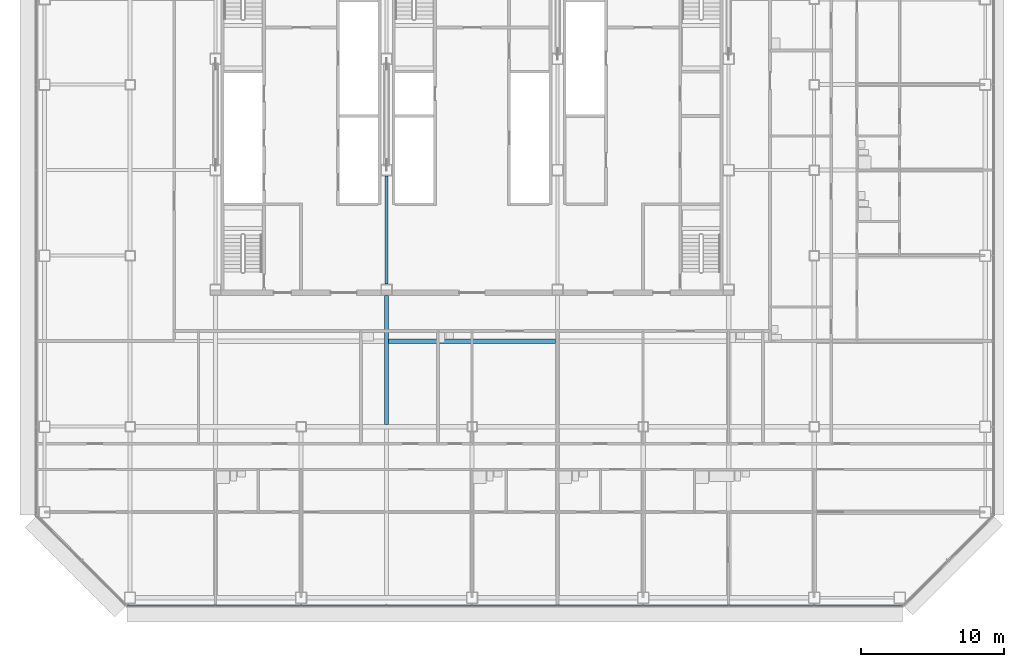
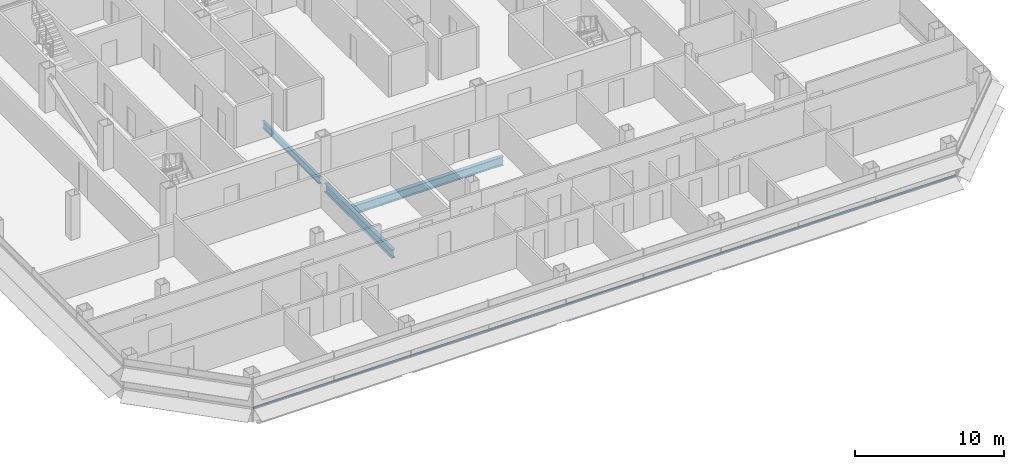
# One storey, part 7 of 26: 3 beams, 1 member, 1 element without a shape of its own.
"""IFC4 building model written with IfcOpenShell, lengths in metres."""

from ifc_helpers import new_model, si_unit, direction, frame, origin, origin_2d, place, context, subcontext, project, spatial, rectangle, i_section, extrude, material, material_profile, profile_set, type_object, element, aggregate, save


model = new_model("IFC4")

# Units and contexts
model_context = context("Model", 3, precision=1e-05, world=origin(), true_north=direction((0.0, 1.0)))
body_context = subcontext(model_context, "Body", "Model", "MODEL_VIEW")
ifc_project = project(units=[si_unit("LENGTHUNIT", "METRE"), si_unit("AREAUNIT", "SQUARE_METRE"), si_unit("VOLUMEUNIT", "CUBIC_METRE"), si_unit("PLANEANGLEUNIT", "RADIAN"), si_unit("MASSUNIT", "GRAM", prefix="KILO")], contexts=[model_context])

# Site, building, storey
site_placement = place(None, origin())
site = spatial("IfcSite", under=ifc_project, at=site_placement, CompositionType="ELEMENT")
building_placement = place(site_placement, origin())
building = spatial("IfcBuilding", under=site, at=building_placement, Name="Sorahane Residences", CompositionType="ELEMENT")
storey_placement = place(building_placement, frame((0.0, 0.0, 110.60009765625)))
storey = spatial("IfcBuildingStorey", under=building, at=storey_placement, Name="L24", CompositionType="ELEMENT", Elevation=110.60009765625)

# Curtain wall, member
ifc_material_1 = material(Name="Dark low-e glass and black anodised aluminium", Category="aluminium")
curtain_wall_type = type_object("IfcCurtainWallType", Name="Curtain wall CW-1 Typical unitised wall", PredefinedType="NOTDEFINED", material=ifc_material_1)
curtain_wall_placement = place(storey_placement, origin())
curtain_wall = element("IfcCurtainWall", 1, at=curtain_wall_placement, inside=storey, type_object=curtain_wall_type, Name="CW-1 curtain wall L24 S1", PredefinedType="NOTDEFINED")
ifc_material_2 = material(Name="Black anodised aluminium", Category="aluminium")
ifc_material_profile_1 = material_profile(ifc_material_2, rectangle(XDim=0.10009765625, YDim=0.06005859375, at=origin_2d()), Name="Curtain wall transom CW-1 black anodised aluminium 60x100")
ifc_profile_set_1 = profile_set([ifc_material_profile_1], Name="Black anodised aluminium")
member_type = type_object("IfcMemberType", Name="Curtain wall transom CW-1 black anodised aluminium 60x100", PredefinedType="USERDEFINED", material=ifc_profile_set_1)
member_placement = place(storey_placement, frame((-0.198486328125, -0.530029296875, 0.89990234375), z_axis=(1.0, 0.0, 0.0), x_axis=(0.0, 1.0, 0.0)))
member = element("IfcMember", 2, at=member_placement, type_object=member_type, Name="CW-1 transom L24 S1", ObjectType="TRANSOM", PredefinedType="USERDEFINED", context=body_context, shape_type="SweptSolid", body=[
    extrude(rectangle(XDim=0.10009765625, YDim=0.06005859375, at=origin_2d()), origin(), (0.0, 0.0, 1.0), 54.39697265625),
])
aggregate(curtain_wall, [member])

# Beams
ifc_material_3 = material(Name="Steel Q355B", Category="steel")
ifc_material_profile_2 = material_profile(ifc_material_3, i_section(OverallWidth=0.199951171875, OverallDepth=0.60009765625, WebThickness=0.010986328125, FlangeThickness=0.01708984375, FilletRadius=0.02392578125, at=origin_2d()), Name="HN 600x200x11x17")
ifc_profile_set_2 = profile_set([ifc_material_profile_2], Name="Steel Q355B")
beam_type_1 = type_object("IfcBeamType", Name="Steel floor beam HN 600x200x11x17 Q355B", PredefinedType="BEAM", material=ifc_profile_set_2)
beam_1_placement = place(storey_placement, frame((18.0, 22.0, -0.47998046875), z_axis=(0.0, 1.0, 0.0), x_axis=(-1.0, 0.0, 0.0)))
element("IfcBeam", 3, at=beam_1_placement, inside=storey, type_object=beam_type_1, Name="Beam L24 038", PredefinedType="BEAM", context=body_context, shape_type="SweptSolid", body=[
    extrude(i_section(OverallWidth=0.199951171875, OverallDepth=0.60009765625, WebThickness=0.010986328125, FlangeThickness=0.01708984375, FilletRadius=0.02392578125, at=origin_2d()), origin(), (0.0, 0.0, 1.0), 7.60009765625),
])
ifc_material_4 = material(Name="Steel Q355B", Category="steel")
ifc_material_profile_3 = material_profile(ifc_material_4, i_section(OverallWidth=0.300048828125, OverallDepth=0.699951171875, WebThickness=0.012939453125, FlangeThickness=0.02392578125, FilletRadius=0.028076171875, at=origin_2d()), Name="HN 700x300x13x24")
ifc_profile_set_3 = profile_set([ifc_material_profile_3], Name="Steel Q355B")
beam_type_2 = type_object("IfcBeamType", Name="Steel floor beam HN 700x300x13x24 Q355B", PredefinedType="BEAM", material=ifc_profile_set_3)
beam_2_placement = place(storey_placement, frame((18.0, 12.14990234375, -0.530029296875), z_axis=(0.0, 1.0, 0.0), x_axis=(-1.0, 0.0, 0.0)))
element("IfcBeam", 4, at=beam_2_placement, inside=storey, type_object=beam_type_2, Name="Beam L24 037", PredefinedType="BEAM", context=body_context, shape_type="SweptSolid", body=[
    extrude(i_section(OverallWidth=0.300048828125, OverallDepth=0.699951171875, WebThickness=0.012939453125, FlangeThickness=0.02392578125, FilletRadius=0.028076171875, at=origin_2d()), origin(), (0.0, 0.0, 1.0), 9.050048828125),
])
beam_3_placement = place(storey_placement, frame((18.14990234375, 18.0, -0.530029296875), z_axis=(1.0, 0.0, 0.0), x_axis=(0.0, 1.0, 0.0)))
element("IfcBeam", 5, at=beam_3_placement, inside=storey, type_object=beam_type_2, Name="Beam L24 081", PredefinedType="BEAM", context=body_context, shape_type="SweptSolid", body=[
    extrude(i_section(OverallWidth=0.300048828125, OverallDepth=0.699951171875, WebThickness=0.012939453125, FlangeThickness=0.02392578125, FilletRadius=0.028076171875, at=origin_2d()), origin(), (0.0, 0.0, 1.0), 11.7001953125),
])

save(model, "model.ifc")
